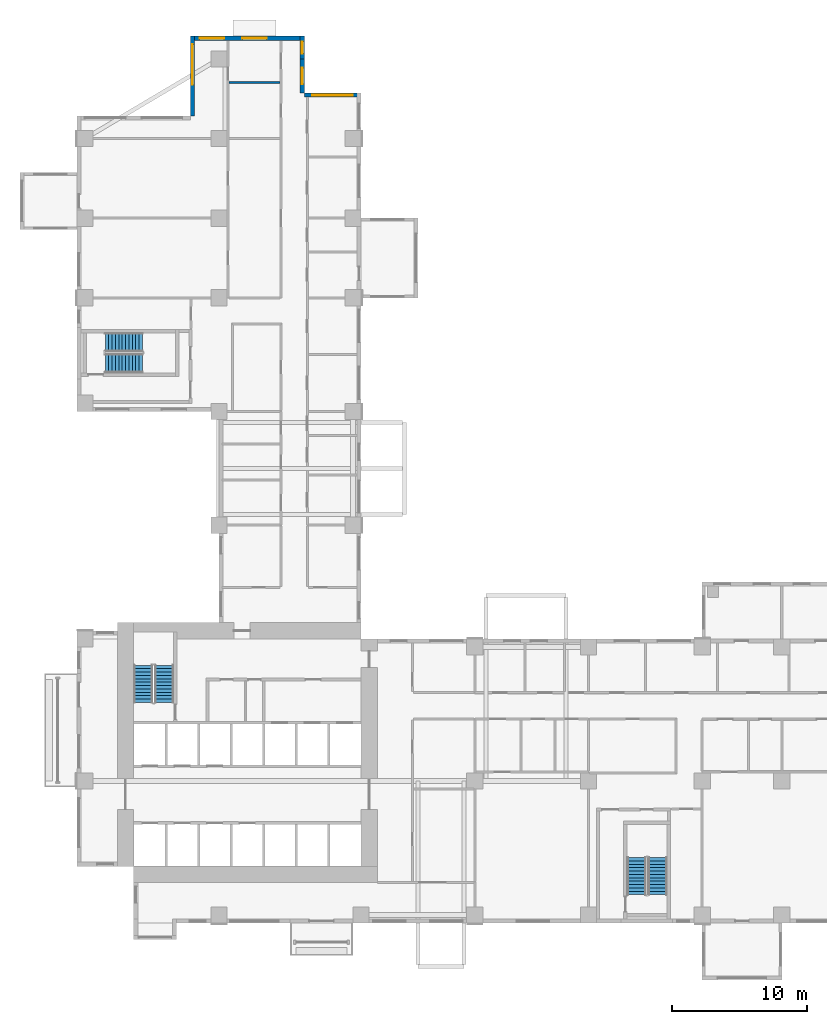
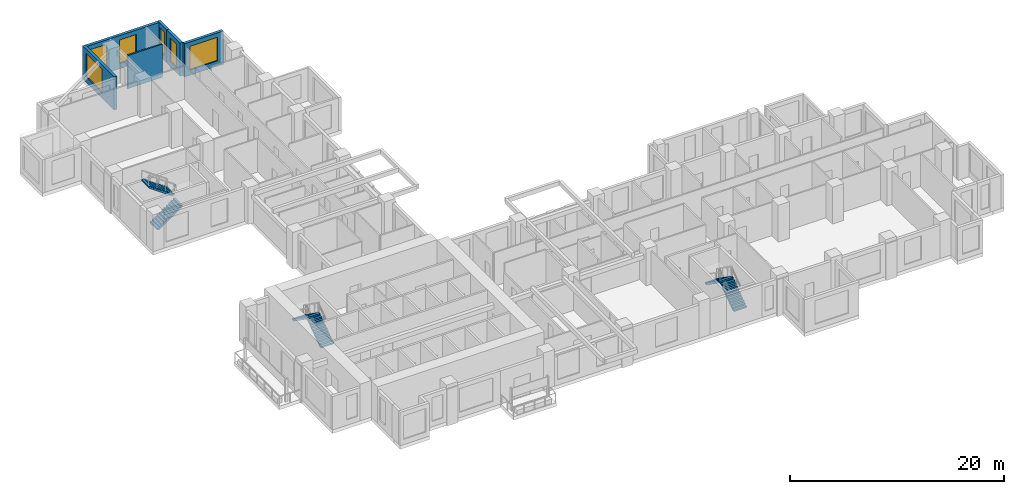
# One storey, part 10 of 15: 6 stair flights, 6 walls, 6 windows, 6 openings, 3 elements without a shape of their own.
"""IFC4 building model written with IfcOpenShell, lengths in metres."""

from ifc_helpers import new_model, si_unit, direction, frame, frame_2d, origin, place, context, subcontext, project, spatial, polyline, rectangle, outline, extrude, source, transform, mapped, material, layer, layer_set, type_object, element, fill, aggregate, save


model = new_model("IFC4")

# Units and contexts
model_context = context("Model", 3, precision=1e-05, world=origin(), true_north=direction((0.0, 1.0)))
body_context = subcontext(model_context, "Body", "Model", "MODEL_VIEW")
ifc_project = project(units=[si_unit("LENGTHUNIT", "METRE"), si_unit("AREAUNIT", "SQUARE_METRE"), si_unit("VOLUMEUNIT", "CUBIC_METRE"), si_unit("PLANEANGLEUNIT", "RADIAN"), si_unit("MASSUNIT", "GRAM", prefix="KILO")], contexts=[model_context])

# Site, building, storey
site_placement = place(None, origin())
site = spatial("IfcSite", under=ifc_project, at=site_placement, CompositionType="ELEMENT")
building_placement = place(site_placement, origin())
building = spatial("IfcBuilding", under=site, at=building_placement, Name="Aurelian Terraces", CompositionType="ELEMENT")
storey_placement = place(building_placement, frame((0.0, 0.0, 74.1)))
storey = spatial("IfcBuildingStorey", under=building, at=storey_placement, Name="L15", CompositionType="ELEMENT", Elevation=74.1)

# Wall, opening, window
ifc_material_1 = material(Name="Concrete fc' 40 MPa", Category="concrete")
ifc_layer_1 = layer(ifc_material_1, 0.3)
ifc_layer_set_1 = layer_set([ifc_layer_1], Name="STAIR BAY WALL 300")
wall_type_1 = type_object("IfcWallType", Name="STAIR BAY WALL 300", PredefinedType="SOLIDWALL", material=ifc_layer_set_1)
wall_1_placement = place(storey_placement, frame((16.65, 61.32, 0.0), z_axis=(0.0, 0.0, 1.0), x_axis=(0.0, 1.0, 0.0)))
wall_1 = element("IfcWall", 1, at=wall_1_placement, inside=storey, type_object=wall_type_1, Name="Bearing wall L15 F10.28", PredefinedType="SOLIDWALL", context=body_context, shape_type="SweptSolid", body=[
    extrude(rectangle(XDim=2.52, YDim=0.3, at=frame_2d((1.26, 0.0))), origin(), (0.0, 0.0, 1.0), 3.8),
])
shared_shape_1 = source(origin(), body_context, "Body", "SweptSolid", [
    extrude(rectangle(XDim=1.2, YDim=2.7, at=frame_2d((0.6, 1.35))), frame((0.0, 0.16, 0.0), z_axis=(0.0, -1.0, 0.0), x_axis=(1.0, 0.0, 0.0)), (0.0, 0.0, 1.0), 0.32),
])
opening_1_placement = place(wall_1_placement, frame((0.66, 0.0, 0.6)))
opening_1 = element("IfcOpeningElement", 2, at=opening_1_placement, cuts=wall_1, Name="Opening W1227", PredefinedType="OPENING", context=body_context, shape_type="MappedRepresentation", body=[
    mapped(shared_shape_1, transform((0.0, 0.0, 0.0), scale=1.0)),
])
ifc_material_2 = material(Name="Clear glazing", Category="glass")
window_type_1 = type_object("IfcWindowType", Name="W-1200x2700", PartitioningType="SINGLE_PANEL", PredefinedType="WINDOW", material=ifc_material_2)
shared_shape_2 = source(origin(), body_context, "Body", "SweptSolid", [
    extrude(rectangle(XDim=1.2, YDim=2.7, at=frame_2d((0.6, 1.35))), frame((0.0, 0.03, 0.0), z_axis=(0.0, -1.0, 0.0), x_axis=(1.0, 0.0, 0.0)), (0.0, 0.0, 1.0), 0.06),
])
window_1_placement = place(opening_1_placement, origin())
window_1 = element("IfcWindow", 3, at=window_1_placement, inside=storey, type_object=window_type_1, Name="Window L15 L15-F10-28-0", OverallHeight=2.7, OverallWidth=1.2, PartitioningType="SINGLE_PANEL", PredefinedType="WINDOW", context=body_context, shape_type="MappedRepresentation", body=[
    mapped(shared_shape_2, transform((0.0, 0.0, 0.0), scale=1.0)),
])
fill(opening_1, window_1)

wall_2_placement = place(storey_placement, frame((16.65, 63.84, 0.0), z_axis=(0.0, 0.0, 1.0), x_axis=(0.0, 1.0, 0.0)))
wall_2 = element("IfcWall", 4, at=wall_2_placement, inside=storey, type_object=wall_type_1, Name="Bearing wall L15 F10.29", PredefinedType="SOLIDWALL", context=body_context, shape_type="SweptSolid", body=[
    extrude(rectangle(XDim=1.68, YDim=0.3, at=frame_2d((0.84, 0.0))), origin(), (0.0, 0.0, 1.0), 3.8),
])
shared_shape_3 = source(origin(), body_context, "Body", "SweptSolid", [
    extrude(rectangle(XDim=0.9, YDim=2.7, at=frame_2d((0.45, 1.35))), frame((0.0, 0.16, 0.0), z_axis=(0.0, -1.0, 0.0), x_axis=(1.0, 0.0, 0.0)), (0.0, 0.0, 1.0), 0.32),
])
opening_2_placement = place(wall_2_placement, frame((0.39, 0.0, 0.6)))
opening_2 = element("IfcOpeningElement", 5, at=opening_2_placement, cuts=wall_2, Name="Opening W0927", PredefinedType="OPENING", context=body_context, shape_type="MappedRepresentation", body=[
    mapped(shared_shape_3, transform((0.0, 0.0, 0.0), scale=1.0)),
])
window_type_2 = type_object("IfcWindowType", Name="W-900x2700", PartitioningType="SINGLE_PANEL", PredefinedType="WINDOW", material=ifc_material_2)
shared_shape_4 = source(origin(), body_context, "Body", "SweptSolid", [
    extrude(rectangle(XDim=0.9, YDim=2.7, at=frame_2d((0.45, 1.35))), frame((0.0, 0.03, 0.0), z_axis=(0.0, -1.0, 0.0), x_axis=(1.0, 0.0, 0.0)), (0.0, 0.0, 1.0), 0.06),
])
window_2_placement = place(opening_2_placement, origin())
window_2 = element("IfcWindow", 6, at=window_2_placement, inside=storey, type_object=window_type_2, Name="Window L15 L15-F10-29-P0", OverallHeight=2.7, OverallWidth=0.9, PartitioningType="SINGLE_PANEL", PredefinedType="WINDOW", context=body_context, shape_type="MappedRepresentation", body=[
    mapped(shared_shape_4, transform((0.0, 0.0, 0.0), scale=1.0)),
])
fill(opening_2, window_2)

ifc_material_3 = material(Name="Terracotta rainscreen cladding", Category="masonry")
ifc_layer_2 = layer(ifc_material_3, 0.3)
ifc_layer_set_2 = layer_set([ifc_layer_2], Name="EW-300")
wall_type_2 = type_object("IfcWallType", Name="EW-300", PredefinedType="STANDARD", material=ifc_layer_set_2)
shared_shape_5 = source(origin(), body_context, "Body", "SweptSolid", [
    extrude(rectangle(XDim=4.2, YDim=0.3, at=frame_2d((2.1, 0.0))), origin(), (0.0, 0.0, 1.0), 3.8),
])
wall_3_placement = place(storey_placement, frame((21.0, 61.17, 0.0), z_axis=(0.0, 0.0, 1.0), x_axis=(-1.0, 0.0, 0.0)))
wall_3 = element("IfcWall", 7, at=wall_3_placement, inside=storey, type_object=wall_type_2, Name="External wall L15 F09.27", PredefinedType="STANDARD", context=body_context, shape_type="MappedRepresentation", body=[
    mapped(shared_shape_5, transform((0.0, 0.0, 0.0), scale=1.0)),
])
shared_shape_6 = source(origin(), body_context, "Body", "SweptSolid", [
    extrude(rectangle(XDim=3.0, YDim=2.7, at=frame_2d((1.5, 1.35))), frame((0.0, 0.16, 0.0), z_axis=(0.0, -1.0, 0.0), x_axis=(1.0, 0.0, 0.0)), (0.0, 0.0, 1.0), 0.32),
])
opening_3_placement = place(wall_3_placement, frame((0.6, 0.0, 0.6)))
opening_3 = element("IfcOpeningElement", 8, at=opening_3_placement, cuts=wall_3, Name="Opening W3027", PredefinedType="OPENING", context=body_context, shape_type="MappedRepresentation", body=[
    mapped(shared_shape_6, transform((0.0, 0.0, 0.0), scale=1.0)),
])
window_type_3 = type_object("IfcWindowType", Name="W-3000x2700", PartitioningType="SINGLE_PANEL", PredefinedType="WINDOW", material=ifc_material_2)
shared_shape_7 = source(origin(), body_context, "Body", "SweptSolid", [
    extrude(rectangle(XDim=3.0, YDim=2.7, at=frame_2d((1.5, 1.35))), frame((0.0, 0.03, 0.0), z_axis=(0.0, -1.0, 0.0), x_axis=(1.0, 0.0, 0.0)), (0.0, 0.0, 1.0), 0.06),
])
window_3_placement = place(opening_3_placement, origin())
window_3 = element("IfcWindow", 9, at=window_3_placement, inside=storey, type_object=window_type_3, Name="Window L15 L15-F09-27-0", OverallHeight=2.7, OverallWidth=3.0, PartitioningType="SINGLE_PANEL", PredefinedType="WINDOW", context=body_context, shape_type="MappedRepresentation", body=[
    mapped(shared_shape_7, transform((0.0, 0.0, 0.0), scale=1.0)),
])
fill(opening_3, window_3)

shared_shape_8 = source(origin(), body_context, "Body", "SweptSolid", [
    extrude(rectangle(XDim=5.88, YDim=0.3, at=frame_2d((2.94, 0.0))), origin(), (0.0, 0.0, 1.0), 3.8),
])
wall_4_placement = place(storey_placement, frame((8.55, 65.52, 0.0), z_axis=(0.0, 0.0, 1.0), x_axis=(0.0, -1.0, 0.0)))
wall_4 = element("IfcWall", 10, at=wall_4_placement, inside=storey, type_object=wall_type_1, Name="Bearing wall L15 F12.31", PredefinedType="SOLIDWALL", context=body_context, shape_type="MappedRepresentation", body=[
    mapped(shared_shape_8, transform((0.0, 0.0, 0.0), scale=1.0)),
])
opening_4_placement = place(wall_4_placement, frame((0.6, 0.0, 0.6)))
opening_4 = element("IfcOpeningElement", 11, at=opening_4_placement, cuts=wall_4, Name="Opening W3027", PredefinedType="OPENING", context=body_context, shape_type="MappedRepresentation", body=[
    mapped(shared_shape_6, transform((0.0, 0.0, 0.0), scale=1.0)),
])
window_4_placement = place(opening_4_placement, origin())
window_4 = element("IfcWindow", 12, at=window_4_placement, inside=storey, type_object=window_type_3, Name="Window L15 L15-F12-31-0", OverallHeight=2.7, OverallWidth=3.0, PartitioningType="SINGLE_PANEL", PredefinedType="WINDOW", context=body_context, shape_type="MappedRepresentation", body=[
    mapped(shared_shape_7, transform((0.0, 0.0, 0.0), scale=1.0)),
])
fill(opening_4, window_4)

# Wall, openings, windows
shared_shape_9 = source(origin(), body_context, "Body", "SweptSolid", [
    extrude(rectangle(XDim=8.4, YDim=0.3, at=frame_2d((4.2, 0.0))), origin(), (0.0, 0.0, 1.0), 3.8),
])
wall_5_placement = place(storey_placement, frame((16.8, 65.37, 0.0), z_axis=(0.0, 0.0, 1.0), x_axis=(-1.0, 0.0, 0.0)))
wall_5 = element("IfcWall", 13, at=wall_5_placement, inside=storey, type_object=wall_type_1, Name="Bearing wall L15 F11.30", PredefinedType="SOLIDWALL", context=body_context, shape_type="MappedRepresentation", body=[
    mapped(shared_shape_9, transform((0.0, 0.0, 0.0), scale=1.0)),
])
shared_shape_10 = source(origin(), body_context, "Body", "SweptSolid", [
    extrude(rectangle(XDim=1.8, YDim=2.7, at=frame_2d((0.9, 1.35))), frame((0.0, 0.16, 0.0), z_axis=(0.0, -1.0, 0.0), x_axis=(1.0, 0.0, 0.0)), (0.0, 0.0, 1.0), 0.32),
])
opening_5_placement = place(wall_5_placement, frame((2.775, 0.0, 0.6)))
opening_5 = element("IfcOpeningElement", 14, at=opening_5_placement, cuts=wall_5, Name="Opening W1827", PredefinedType="OPENING", context=body_context, shape_type="MappedRepresentation", body=[
    mapped(shared_shape_10, transform((0.0, 0.0, 0.0), scale=1.0)),
])
opening_6_placement = place(wall_5_placement, frame((5.925, 0.0, 0.6)))
opening_6 = element("IfcOpeningElement", 15, at=opening_6_placement, cuts=wall_5, Name="Opening W1827", PredefinedType="OPENING", context=body_context, shape_type="MappedRepresentation", body=[
    mapped(shared_shape_10, transform((0.0, 0.0, 0.0), scale=1.0)),
])
window_type_4 = type_object("IfcWindowType", Name="W-1800x2700", PartitioningType="SINGLE_PANEL", PredefinedType="WINDOW", material=ifc_material_2)
shared_shape_11 = source(origin(), body_context, "Body", "SweptSolid", [
    extrude(rectangle(XDim=1.8, YDim=2.7, at=frame_2d((0.9, 1.35))), frame((0.0, 0.03, 0.0), z_axis=(0.0, -1.0, 0.0), x_axis=(1.0, 0.0, 0.0)), (0.0, 0.0, 1.0), 0.06),
])
window_5_placement = place(opening_5_placement, origin())
window_5 = element("IfcWindow", 16, at=window_5_placement, inside=storey, type_object=window_type_4, Name="Window L15 L15-F11-30-1", OverallHeight=2.7, OverallWidth=1.8, PartitioningType="SINGLE_PANEL", PredefinedType="WINDOW", context=body_context, shape_type="MappedRepresentation", body=[
    mapped(shared_shape_11, transform((0.0, 0.0, 0.0), scale=1.0)),
])
fill(opening_5, window_5)
window_6_placement = place(opening_6_placement, origin())
window_6 = element("IfcWindow", 17, at=window_6_placement, inside=storey, type_object=window_type_4, Name="Window L15 L15-F11-30-2", OverallHeight=2.7, OverallWidth=1.8, PartitioningType="SINGLE_PANEL", PredefinedType="WINDOW", context=body_context, shape_type="MappedRepresentation", body=[
    mapped(shared_shape_11, transform((0.0, 0.0, 0.0), scale=1.0)),
])
fill(opening_6, window_6)

# Wall
ifc_material_4 = material(Name="Gypsum board on steel studs", Category="steel")
ifc_layer_3 = layer(ifc_material_4, 0.15)
ifc_layer_set_3 = layer_set([ifc_layer_3], Name="Partition 150")
wall_type_3 = type_object("IfcWallType", Name="Partition 150", PredefinedType="PARTITIONING", material=ifc_layer_set_3)
shared_shape_12 = source(origin(), body_context, "Body", "SweptSolid", [
    extrude(rectangle(XDim=3.75, YDim=0.15, at=frame_2d((1.875, 0.0))), origin(), (0.0, 0.0, 1.0), 3.8),
])
wall_6_placement = place(storey_placement, frame((15.0, 62.0935, 0.0), z_axis=(0.0, 0.0, 1.0), x_axis=(-1.0, 0.0, 0.0)))
element("IfcWall", 18, at=wall_6_placement, inside=storey, type_object=wall_type_3, Name="Partition", PredefinedType="PARTITIONING", context=body_context, shape_type="MappedRepresentation", body=[
    mapped(shared_shape_12, transform((0.0, 0.0, 0.0), scale=1.0)),
])

# Stair, stair flights
stair_type = type_object("IfcStairType", Name="Stair 1400", PredefinedType="HALF_TURN_STAIR", material=ifc_material_1)
stair_1_placement = place(storey_placement, origin())
stair_1 = element("IfcStair", 19, at=stair_1_placement, inside=storey, type_object=stair_type, Name="L15 S1", PredefinedType="HALF_TURN_STAIR")
stair_flight_type = type_object("IfcStairFlightType", Name="Stair flight 1400", PredefinedType="STRAIGHT", material=ifc_material_1)
shared_shape_13 = source(origin(), body_context, "Body", "SweptSolid", [
    extrude(outline(polyline([(0.0, 0.0), (0.0, 0.175), (0.25, 0.175), (0.25, 0.35), (0.5, 0.35), (0.5, 0.525), (0.75, 0.525), (0.75, 0.7), (1.0, 0.7), (1.0, 0.875), (1.25, 0.875), (1.25, 1.05), (1.5, 1.05), (1.5, 1.225), (1.75, 1.225), (1.75, 1.4), (2.0, 1.4), (2.0, 1.575), (2.25, 1.575), (2.25, 1.75), (2.5, 1.75), (2.5, 1.925), (2.75, 1.925), (2.75, 2.1), (2.75, 1.7419), (0.2616, 0.0), (0.0, 0.0)])), frame((0.0, 0.7, 0.0), z_axis=(0.0, -1.0, 0.0), x_axis=(1.0, 0.0, 0.0)), (0.0, 0.0, 1.0), 1.4),
])
stair_flight_1_placement = place(storey_placement, frame((6.45, 16.3, 2e-08), z_axis=(0.0, 0.0, 1.0), x_axis=(0.0, 1.0, 0.0)))
stair_flight_1 = element("IfcStairFlight", 20, at=stair_flight_1_placement, type_object=stair_flight_type, Name="S1 flight 1", NumberOfRisers=12, NumberOfTreads=11, PredefinedType="STRAIGHT", RiserHeight=0.175, TreadLength=0.25, context=body_context, shape_type="MappedRepresentation", body=[
    mapped(shared_shape_13, transform((0.0, 0.0, 0.0), scale=1.0)),
])
stair_flight_2_placement = place(storey_placement, frame((4.9, 19.05, 2.1000000200000084), z_axis=(0.0, 0.0, 1.0), x_axis=(0.0, -1.0, 0.0)))
stair_flight_2 = element("IfcStairFlight", 21, at=stair_flight_2_placement, type_object=stair_flight_type, Name="S1 flight 2", NumberOfRisers=12, NumberOfTreads=11, PredefinedType="STRAIGHT", RiserHeight=0.175, TreadLength=0.25, context=body_context, shape_type="MappedRepresentation", body=[
    mapped(shared_shape_13, transform((0.0, 0.0, 0.0), scale=1.0)),
])
aggregate(stair_1, [stair_flight_1, stair_flight_2])

stair_2_placement = place(storey_placement, origin())
stair_2 = element("IfcStair", 22, at=stair_2_placement, inside=storey, type_object=stair_type, Name="L15 S2", PredefinedType="HALF_TURN_STAIR")
stair_flight_3_placement = place(storey_placement, frame((42.9, 2.1, 2e-08), z_axis=(0.0, 0.0, 1.0), x_axis=(0.0, 1.0, 0.0)))
stair_flight_3 = element("IfcStairFlight", 23, at=stair_flight_3_placement, type_object=stair_flight_type, Name="S2 flight 1", NumberOfRisers=12, NumberOfTreads=11, PredefinedType="STRAIGHT", RiserHeight=0.175, TreadLength=0.25, context=body_context, shape_type="MappedRepresentation", body=[
    mapped(shared_shape_13, transform((0.0, 0.0, 0.0), scale=1.0)),
])
stair_flight_4_placement = place(storey_placement, frame((41.35, 4.85, 2.1000000200000084), z_axis=(0.0, 0.0, 1.0), x_axis=(0.0, -1.0, 0.0)))
stair_flight_4 = element("IfcStairFlight", 24, at=stair_flight_4_placement, type_object=stair_flight_type, Name="S2 flight 2", NumberOfRisers=12, NumberOfTreads=11, PredefinedType="STRAIGHT", RiserHeight=0.175, TreadLength=0.25, context=body_context, shape_type="MappedRepresentation", body=[
    mapped(shared_shape_13, transform((0.0, 0.0, 0.0), scale=1.0)),
])
aggregate(stair_2, [stair_flight_3, stair_flight_4])

stair_3_placement = place(storey_placement, origin())
stair_3 = element("IfcStair", 25, at=stair_3_placement, inside=storey, type_object=stair_type, Name="L15 S3", PredefinedType="HALF_TURN_STAIR")
stair_flight_5_placement = place(storey_placement, frame((2.1, 41.35, 2e-08), z_axis=(0.0, 0.0, 1.0), x_axis=(1.0, 0.0, 0.0)))
stair_flight_5 = element("IfcStairFlight", 26, at=stair_flight_5_placement, type_object=stair_flight_type, Name="S3 flight 1", NumberOfRisers=12, NumberOfTreads=11, PredefinedType="STRAIGHT", RiserHeight=0.175, TreadLength=0.25, context=body_context, shape_type="MappedRepresentation", body=[
    mapped(shared_shape_13, transform((0.0, 0.0, 0.0), scale=1.0)),
])
stair_flight_6_placement = place(storey_placement, frame((4.85, 42.9, 2.1000000200000084), z_axis=(0.0, 0.0, 1.0), x_axis=(-1.0, 0.0, 0.0)))
stair_flight_6 = element("IfcStairFlight", 27, at=stair_flight_6_placement, type_object=stair_flight_type, Name="S3 flight 2", NumberOfRisers=12, NumberOfTreads=11, PredefinedType="STRAIGHT", RiserHeight=0.175, TreadLength=0.25, context=body_context, shape_type="MappedRepresentation", body=[
    mapped(shared_shape_13, transform((0.0, 0.0, 0.0), scale=1.0)),
])
aggregate(stair_3, [stair_flight_5, stair_flight_6])

save(model, "model.ifc")
